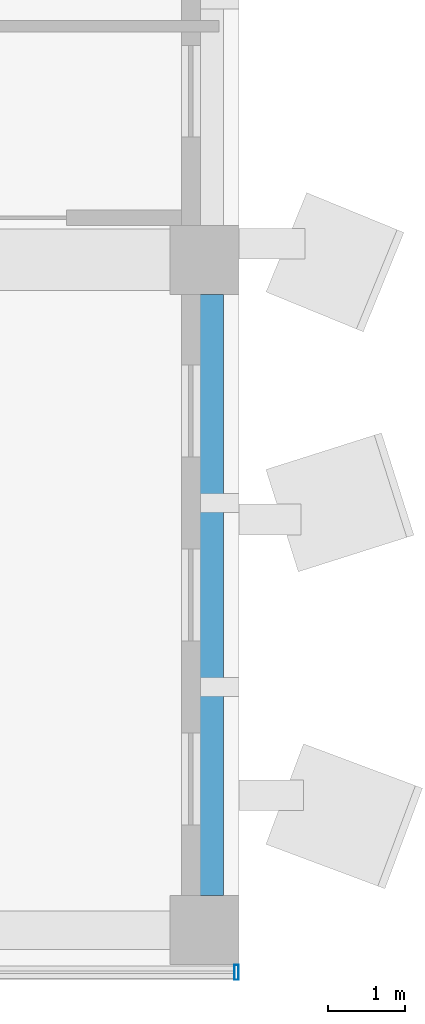
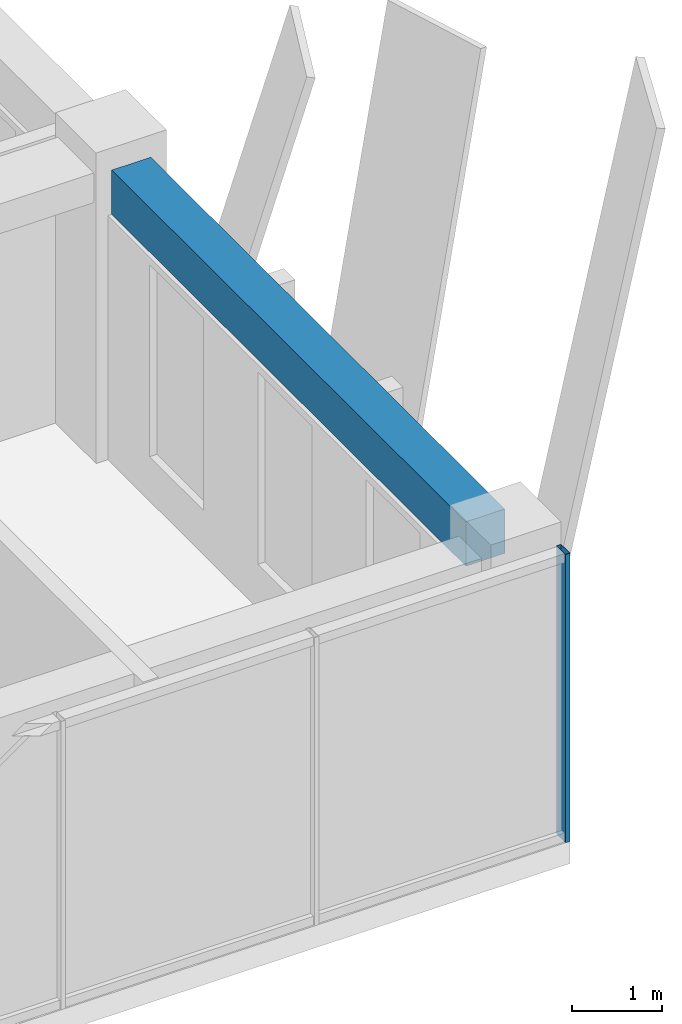
# One storey, part 15 of 38: 1 beam, 1 member, 1 element without a shape of its own.
"""IFC4 building model written with IfcOpenShell, lengths in metres."""

from ifc_helpers import new_model, si_unit, direction, frame, origin, origin_2d, place, context, subcontext, project, spatial, rectangle, hollow_rectangle, extrude, material, layer, layer_set, material_profile, profile_set, type_object, element, aggregate, save


model = new_model("IFC4")

# Units and contexts
model_context = context("Model", 3, precision=1e-05, world=origin(), true_north=direction((0.0, 1.0)))
body_context = subcontext(model_context, "Body", "Model", "MODEL_VIEW")
ifc_project = project(units=[si_unit("LENGTHUNIT", "METRE"), si_unit("AREAUNIT", "SQUARE_METRE"), si_unit("VOLUMEUNIT", "CUBIC_METRE"), si_unit("PLANEANGLEUNIT", "RADIAN"), si_unit("MASSUNIT", "GRAM", prefix="KILO")], contexts=[model_context])

# Site, building, storey
site_placement = place(None, origin())
site = spatial("IfcSite", under=ifc_project, at=site_placement, CompositionType="ELEMENT")
building_placement = place(site_placement, origin())
building = spatial("IfcBuilding", under=site, at=building_placement, Name="Nzadi Deep Aquarium and Research Tower", CompositionType="ELEMENT")
storey_placement = place(building_placement, frame((0.0, 0.0, 48.699951171875)))
storey = spatial("IfcBuildingStorey", under=building, at=storey_placement, Name="L09", CompositionType="ELEMENT", Elevation=48.699951171875)

# Curtain wall, member
ifc_material_1 = material(Name="Aluminium unitised frame", Category="aluminium")
ifc_layer = layer(ifc_material_1, 0.199951171875)
ifc_layer_set = layer_set([ifc_layer], Name="Aluminium unitised frame")
curtain_wall_type = type_object("IfcCurtainWallType", Name="Curtain wall Unitised 200", PredefinedType="NOTDEFINED", material=ifc_layer_set)
curtain_wall_placement = place(storey_placement, origin())
curtain_wall = element("IfcCurtainWall", 1, at=curtain_wall_placement, inside=storey, type_object=curtain_wall_type, Name="Unitised curtain wall blade A south L09", PredefinedType="NOTDEFINED")
ifc_material_2 = material(Name="Aluminium unitised frame", Category="aluminium")
ifc_material_profile_1 = material_profile(ifc_material_2, hollow_rectangle(XDim=0.199951171875, YDim=0.06005859375, WallThickness=0.0048828125, at=origin_2d()))
ifc_profile_set_1 = profile_set([ifc_material_profile_1], Name="Aluminium unitised frame")
member_type = type_object("IfcMemberType", Name="Mullion 60x200 Unitised", PredefinedType="MULLION", material=ifc_profile_set_1)
member_placement = place(storey_placement, frame((48.419921875, -0.10009765625, 0.0), z_axis=(0.0, 0.0, 1.0), x_axis=(0.0, 1.0, 0.0)))
member = element("IfcMember", 2, at=member_placement, type_object=member_type, Name="CW029 mullion 16", PredefinedType="MULLION", context=body_context, shape_type="SweptSolid", body=[
    extrude(hollow_rectangle(XDim=0.199951171875, YDim=0.06005859375, WallThickness=0.0048828125, at=origin_2d()), origin(), (0.0, 0.0, 1.0), 3.900146484375),
])
aggregate(curtain_wall, [member])

# Beam
ifc_material_3 = material(Name="Concrete C35/45", Category="concrete")
ifc_material_profile_2 = material_profile(ifc_material_3, rectangle(XDim=0.5, YDim=0.60009765625, at=origin_2d()))
ifc_profile_set_2 = profile_set([ifc_material_profile_2], Name="Concrete C35/45")
beam_type = type_object("IfcBeamType", Name="RC 500x600", PredefinedType="BEAM", material=ifc_profile_set_2)
beam_placement = place(storey_placement, frame((48.0, 0.89990234375, 3.60009765625), z_axis=(0.0, 1.0, 0.0), x_axis=(-1.0, 0.0, 0.0)))
element("IfcBeam", 3, at=beam_placement, inside=storey, type_object=beam_type, Name="B-Z1-L09-CF-1-1", PredefinedType="BEAM", context=body_context, shape_type="SweptSolid", body=[
    extrude(rectangle(XDim=0.5, YDim=0.60009765625, at=origin_2d()), origin(), (0.0, 0.0, 1.0), 7.85009765625),
])

save(model, "model.ifc")
